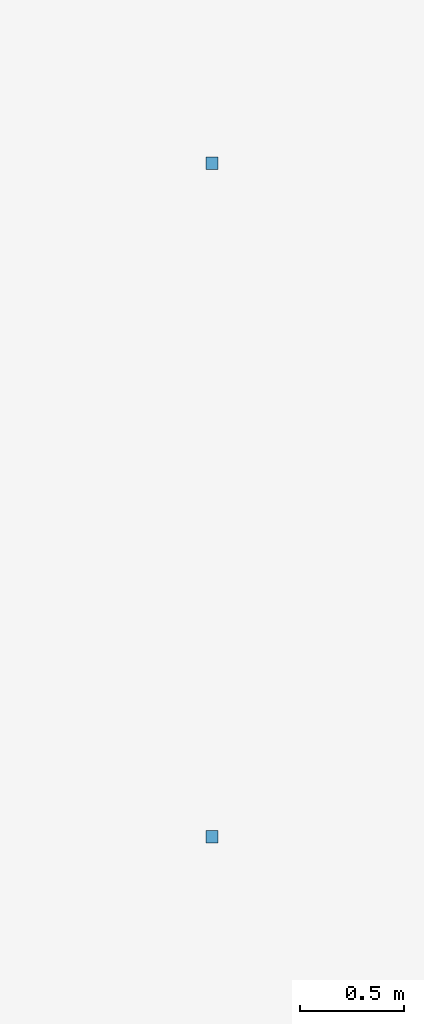
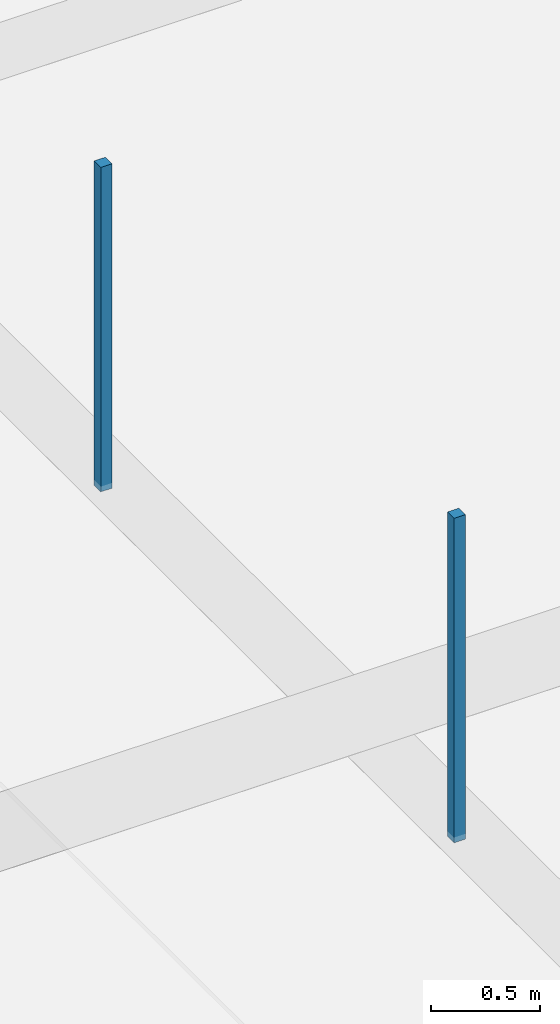
# One storey, part 62 of 128: 2 discrete accessories.
"""IFC4 building model written with IfcOpenShell, lengths in metres."""

from ifc_helpers import new_model, si_unit, direction, frame, origin, origin_2d, place, context, subcontext, project, spatial, rectangle, extrude, material, type_object, element, save


model = new_model("IFC4")

# Units and contexts
model_context = context("Model", 3, precision=1e-05, world=origin(), true_north=direction((0.0, 1.0)))
body_context = subcontext(model_context, "Body", "Model", "MODEL_VIEW")
ifc_project = project(units=[si_unit("LENGTHUNIT", "METRE"), si_unit("AREAUNIT", "SQUARE_METRE"), si_unit("VOLUMEUNIT", "CUBIC_METRE"), si_unit("PLANEANGLEUNIT", "RADIAN"), si_unit("MASSUNIT", "GRAM", prefix="KILO")], contexts=[model_context])

# Site, building, storey
site_placement = place(None, origin())
site = spatial("IfcSite", under=ifc_project, at=site_placement, CompositionType="ELEMENT")
building_placement = place(site_placement, origin())
building = spatial("IfcBuilding", under=site, at=building_placement, Name="Telukmera Botanical Conservatory", CompositionType="ELEMENT")
storey_placement = place(building_placement, frame((0.0, 0.0, 5.39990234375)))
storey = spatial("IfcBuildingStorey", under=building, at=storey_placement, Name="L01", CompositionType="ELEMENT", Elevation=5.39990234375)

# Discrete accessories
ifc_material = material(Name="Steel S355", Category="steel")
discrete_accessory_type = type_object("IfcDiscreteAccessoryType", Name="ACC-CEIL-HGR", PredefinedType="BRACKET", material=ifc_material)
for number, where, z_axis, x_axis, name in (
    (1, (60.953125, 38.28759765625, 2.77001953125), (0.0, 0.0, 1.0), (1.0, 0.0, 0.0), "L01 Suspended Ceiling Hanger Rod 069-1"),
    (2, (60.953125, 41.52490234375, 2.77001953125), (0.0, 0.0, 1.0), (1.0, 0.0, 0.0), "L01 Suspended Ceiling Hanger Rod 069-2"),
):
    element("IfcDiscreteAccessory", number, at=place(storey_placement, frame(where, z_axis=z_axis, x_axis=x_axis)), inside=storey, type_object=discrete_accessory_type, Name=name, PredefinedType="BRACKET", context=body_context, shape_type="SweptSolid", body=[
        extrude(rectangle(XDim=0.06005859375, YDim=0.06005859375, at=origin_2d()), origin(), (0.0, 0.0, 1.0), 1.81494140625),
    ])

save(model, "model.ifc")
